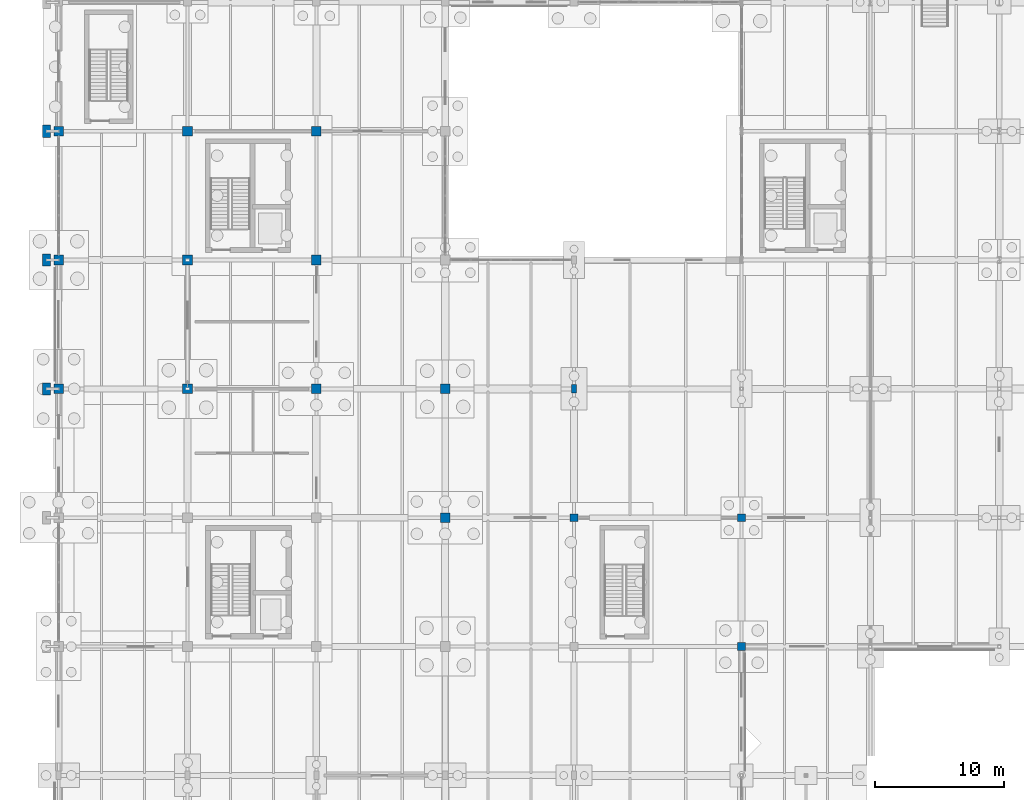
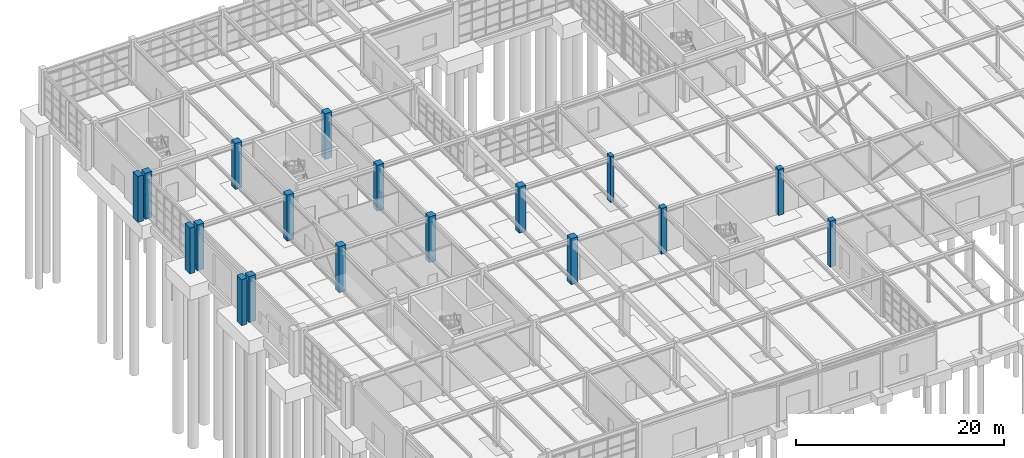
# One storey, part 12 of 145: 18 columns.
"""IFC4 building model written with IfcOpenShell, lengths in metres."""

from ifc_helpers import new_model, si_unit, direction, frame, origin, origin_2d, place, context, subcontext, project, spatial, rectangle, extrude, material, material_profile, profile_set, type_object, element, save


model = new_model("IFC4")

# Units and contexts
model_context = context("Model", 3, precision=1e-05, world=origin(), true_north=direction((0.0, 1.0)))
body_context = subcontext(model_context, "Body", "Model", "MODEL_VIEW")
ifc_project = project(units=[si_unit("LENGTHUNIT", "METRE"), si_unit("AREAUNIT", "SQUARE_METRE"), si_unit("VOLUMEUNIT", "CUBIC_METRE"), si_unit("PLANEANGLEUNIT", "RADIAN"), si_unit("MASSUNIT", "GRAM", prefix="KILO"), si_unit("THERMODYNAMICTEMPERATUREUNIT", "KELVIN"), si_unit("POWERUNIT", "WATT")], contexts=[model_context])

# Site, building, storey
site_placement = place(None, origin())
site = spatial("IfcSite", under=ifc_project, at=site_placement, CompositionType="ELEMENT")
building_placement = place(site_placement, origin())
building = spatial("IfcBuilding", under=site, at=building_placement, Name="Korenveer Ferry Terminal", CompositionType="ELEMENT")
storey_placement = place(building_placement, origin())
storey = spatial("IfcBuildingStorey", under=building, at=storey_placement, Name="L00", CompositionType="ELEMENT", Elevation=0.0)

# Columns
ifc_material_1 = material(Name="Concrete C45/55", Category="concrete")
ifc_material_profile_1 = material_profile(ifc_material_1, rectangle(XDim=0.39990234375, YDim=0.64990234375, at=origin_2d()), Name="RC 400x650")
ifc_profile_set_1 = profile_set([ifc_material_profile_1], Name="Concrete C45/55")
column_type_1 = type_object("IfcColumnType", Name="STR-COL-RC400X650", PredefinedType="COLUMN", material=ifc_profile_set_1)
column_placement = place(storey_placement, frame((40.0, 40.0, 0.0), z_axis=(0.0, 0.0, 1.0), x_axis=(1.0, 0.0, 0.0)))
element("IfcColumn", 1, at=column_placement, inside=storey, type_object=column_type_1, Name="Column COL-L00-X40-Y40", PredefinedType="COLUMN", context=body_context, shape_type="SweptSolid", body=[
    extrude(rectangle(XDim=0.39990234375, YDim=0.64990234375, at=origin_2d()), origin(), (0.0, 0.0, 1.0), 5.39990234375),
])
ifc_material_profile_2 = material_profile(ifc_material_1, rectangle(XDim=0.60009765625, YDim=0.60009765625, at=origin_2d()), Name="RC 600x600")
ifc_profile_set_2 = profile_set([ifc_material_profile_2], Name="Concrete C45/55")
column_type_2 = type_object("IfcColumnType", Name="STR-COL-RC600", PredefinedType="COLUMN", material=ifc_profile_set_2)
for number, where, z_axis, x_axis, name in (
    (2, (40.0, 30.0, 0.0), (0.0, 0.0, 1.0), (1.0, 0.0, 0.0), "Column COL-L00-X40-Y30"),
    (3, (53.0, 20.0, 0.0), (0.0, 0.0, 1.0), (1.0, 0.0, 0.0), "Column COL-L00-X53-Y20"),
    (4, (53.0, 30.0, 0.0), (0.0, 0.0, 1.0), (1.0, 0.0, 0.0), "Column COL-L00-X53-Y30"),
):
    element("IfcColumn", number, at=place(storey_placement, frame(where, z_axis=z_axis, x_axis=x_axis)), inside=storey, type_object=column_type_2, Name=name, PredefinedType="COLUMN", context=body_context, shape_type="SweptSolid", body=[
        extrude(rectangle(XDim=0.60009765625, YDim=0.60009765625, at=origin_2d()), origin(), (0.0, 0.0, 1.0), 5.39990234375),
    ])
ifc_material_profile_3 = material_profile(ifc_material_1, rectangle(XDim=0.75, YDim=0.75, at=origin_2d()), Name="RC 750x750")
ifc_profile_set_3 = profile_set([ifc_material_profile_3], Name="Concrete C45/55")
column_type_3 = type_object("IfcColumnType", Name="STR-COL-RC750", PredefinedType="COLUMN", material=ifc_profile_set_3)
for number, where, z_axis, x_axis, name in (
    (5, (0.0, 40.0, 0.0), (0.0, 0.0, 1.0), (1.0, 0.0, 0.0), "Column COL-L00-X0-Y40"),
    (6, (0.0, 50.0, 0.0), (0.0, 0.0, 1.0), (1.0, 0.0, 0.0), "Column COL-L00-X0-Y50"),
    (7, (0.0, 60.0, 0.0), (0.0, 0.0, 1.0), (1.0, 0.0, 0.0), "Column COL-L00-X0-Y60"),
    (8, (10.0, 40.0, 0.0), (0.0, 0.0, 1.0), (1.0, 0.0, 0.0), "Column COL-L00-X10-Y40"),
    (9, (10.0, 50.0, 0.0), (0.0, 0.0, 1.0), (1.0, 0.0, 0.0), "Column COL-L00-X10-Y50"),
    (10, (10.0, 60.0, 0.0), (0.0, 0.0, 1.0), (1.0, 0.0, 0.0), "Column COL-L00-X10-Y60"),
    (11, (20.0, 40.0, 0.0), (0.0, 0.0, 1.0), (1.0, 0.0, 0.0), "Column COL-L00-X20-Y40"),
    (12, (20.0, 50.0, 0.0), (0.0, 0.0, 1.0), (1.0, 0.0, 0.0), "Column COL-L00-X20-Y50"),
    (13, (20.0, 60.0, 0.0), (0.0, 0.0, 1.0), (1.0, 0.0, 0.0), "Column COL-L00-X20-Y60"),
    (14, (30.0, 30.0, 0.0), (0.0, 0.0, 1.0), (1.0, 0.0, 0.0), "Column COL-L00-X30-Y30"),
    (15, (30.0, 40.0, 0.0), (0.0, 0.0, 1.0), (1.0, 0.0, 0.0), "Column COL-L00-X30-Y40"),
):
    element("IfcColumn", number, at=place(storey_placement, frame(where, z_axis=z_axis, x_axis=x_axis)), inside=storey, type_object=column_type_3, Name=name, PredefinedType="COLUMN", context=body_context, shape_type="SweptSolid", body=[
        extrude(rectangle(XDim=0.75, YDim=0.75, at=origin_2d()), origin(), (0.0, 0.0, 1.0), 5.39990234375),
    ])
ifc_material_2 = material(Name="Precast concrete C45/55", Category="concrete")
ifc_material_profile_4 = material_profile(ifc_material_2, rectangle(XDim=0.60009765625, YDim=0.949951171875, at=origin_2d()), Name="RC 600x950")
ifc_profile_set_4 = profile_set([ifc_material_profile_4], Name="Precast concrete C45/55")
column_type_4 = type_object("IfcColumnType", Name="STR-PIL-STONE600", PredefinedType="PILASTER", material=ifc_profile_set_4)
for number, where, z_axis, x_axis, name in (
    (16, (-0.949951171875, 40.0, 0.0), (0.0, 0.0, 1.0), (1.0, 0.0, 0.0), "Buttress pilaster 7"),
    (17, (-0.949951171875, 50.0, 0.0), (0.0, 0.0, 1.0), (1.0, 0.0, 0.0), "Buttress pilaster 10"),
    (18, (-0.949951171875, 60.0, 0.0), (0.0, 0.0, 1.0), (1.0, 0.0, 0.0), "Buttress pilaster 13"),
):
    element("IfcColumn", number, at=place(storey_placement, frame(where, z_axis=z_axis, x_axis=x_axis)), inside=storey, type_object=column_type_4, Name=name, PredefinedType="PILASTER", context=body_context, shape_type="SweptSolid", body=[
        extrude(rectangle(XDim=0.60009765625, YDim=0.949951171875, at=origin_2d()), origin(), (0.0, 0.0, 1.0), 5.39990234375),
    ])

save(model, "model.ifc")
